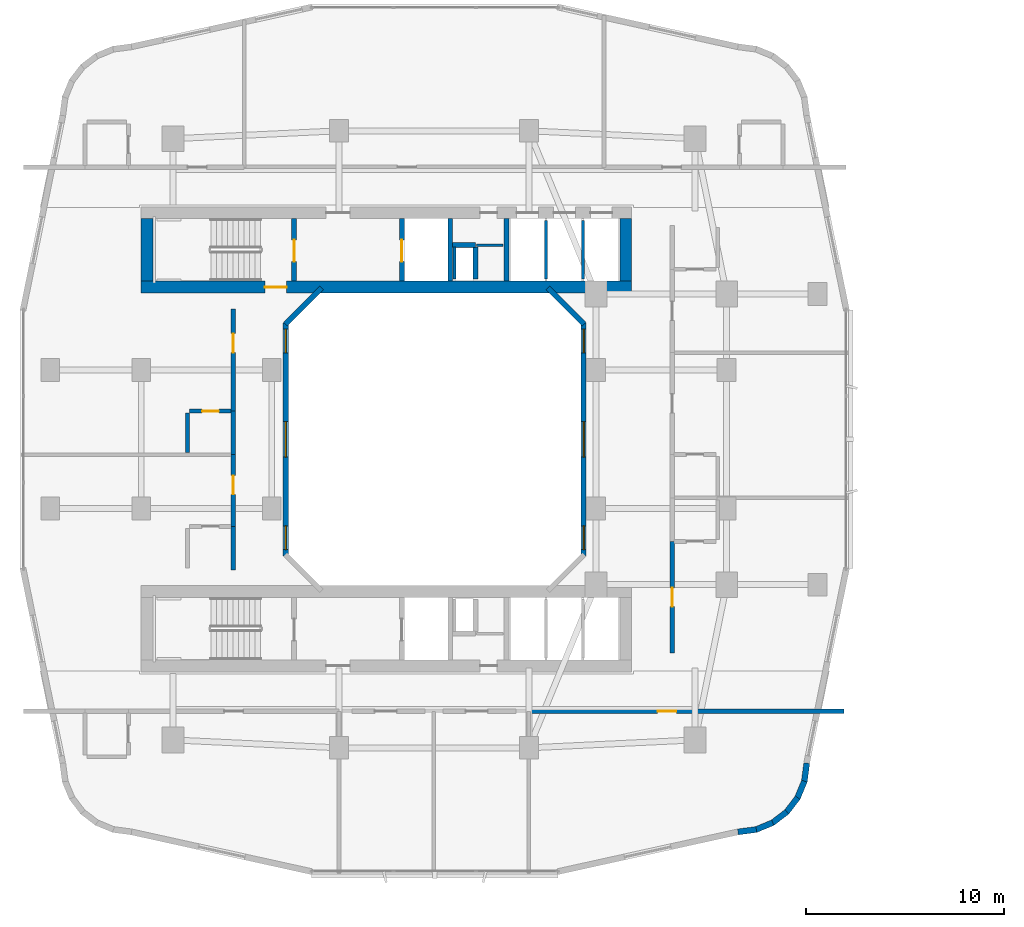
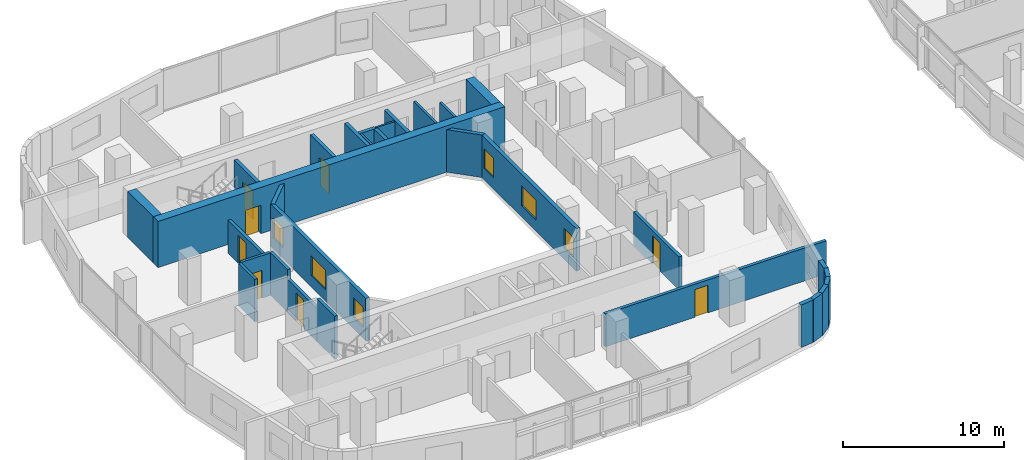
# One storey, part 14 of 26: 31 walls, 8 doors, 6 windows, 14 openings.
"""IFC4 building model written with IfcOpenShell, lengths in metres."""

import ifcopenshell
import ifcopenshell.guid

model = None  # the IFC model being written
_history = None  # IfcOwnerHistory: only IFC2X3 demands one
_inside = {}  # id of a spatial element -> (the spatial element, [elements in it])
_under = {}  # id of a project, library or spatial element -> (it, [spatial elements below it])
_declared = {}  # id of a project -> (the project, [libraries it declares])
_typed = {}  # id of a type object -> (the type object, [elements of that type])
_made_of = {}  # id of a material, layer set ... -> (it, [elements and type objects made of it])


def new_model(schema):
    """Start an empty IFC model of exactly this schema.

    Asked for "IFC4X3", IfcOpenShell would pick the latest addendum, in which some entities
    have other attributes; the version numbers below select the first issue.
    IFC2X3 requires an IfcOwnerHistory on every rooted entity: one is made here for all.
    """
    global model, _history
    if schema == "IFC4X3":
        model = ifcopenshell.file(schema_version=(4, 3, 0, 0))
    else:
        model = ifcopenshell.file(schema=schema)
    _inside.clear()
    _under.clear()
    _declared.clear()
    _typed.clear()
    _made_of.clear()
    _history = None
    if model.schema == "IFC2X3":
        org = make("IfcOrganization", Name="unknown")
        user = make(
            "IfcPersonAndOrganization",
            ThePerson=make("IfcPerson", FamilyName="unknown"),
            TheOrganization=org,
        )
        app = make(
            "IfcApplication",
            ApplicationDeveloper=org,
            Version="unknown",
            ApplicationFullName="unknown",
            ApplicationIdentifier="unknown",
        )
        _history = make(
            "IfcOwnerHistory",
            OwningUser=user,
            OwningApplication=app,
            ChangeAction="ADDED",
            CreationDate=0,
        )
    return model


def make(cls, **values):
    """One entity of the class cls with the attributes given. An attribute that is None is left unset."""
    return model.create_entity(
        cls, **{name: value for name, value in values.items() if value is not None}
    )


def rooted(cls, **values):
    """An entity with a GlobalId (a new one), such as an element, a storey or a relation."""
    return make(cls, GlobalId=ifcopenshell.guid.new(), OwnerHistory=_history, **values)


def si_unit(unit_type, name, prefix=None):
    """IfcSIUnit, for example si_unit("LENGTHUNIT", "METRE", prefix="MILLI")."""
    return make("IfcSIUnit", UnitType=unit_type, Prefix=prefix, Name=name)


def derived_unit(unit_type, elements):
    """IfcDerivedUnit: a product of units, each with its exponent."""
    return make(
        "IfcDerivedUnit",
        Elements=[
            make("IfcDerivedUnitElement", Unit=unit, Exponent=power)
            for unit, power in elements
        ],
        UnitType=unit_type,
    )


def assignment(units):
    """IfcUnitAssignment: the units of a project."""
    return None if units is None else make("IfcUnitAssignment", Units=units)


def point(xyz):
    """IfcCartesianPoint."""
    return None if xyz is None else make("IfcCartesianPoint", Coordinates=xyz)


def direction(xyz):
    """IfcDirection."""
    return None if xyz is None else make("IfcDirection", DirectionRatios=xyz)


def frame(location, z_axis=None, x_axis=None):
    """IfcAxis2Placement3D, a coordinate frame: its origin and axes. An axis left out is left unset."""
    return make(
        "IfcAxis2Placement3D",
        Location=point(location),
        Axis=direction(z_axis),
        RefDirection=direction(x_axis),
    )


def frame_2d(location, x_axis=None):
    """IfcAxis2Placement2D, a coordinate frame in the plane: its origin and x axis."""
    return make(
        "IfcAxis2Placement2D", Location=point(location), RefDirection=direction(x_axis)
    )


def origin():
    """The frame at (0, 0, 0) with its axes left unset."""
    return frame((0.0, 0.0, 0.0))


def place(relative_to, where):
    """IfcLocalPlacement: puts the frame where relative to a parent placement (None: the world)."""
    return make(
        "IfcLocalPlacement", PlacementRelTo=relative_to, RelativePlacement=where
    )


def context(
    kind, dimensions, precision=None, world=None, true_north=None, identifier=None
):
    """IfcGeometricRepresentationContext, for example the 3D "Model" context."""
    return make(
        "IfcGeometricRepresentationContext",
        ContextIdentifier=identifier,
        ContextType=kind,
        CoordinateSpaceDimension=dimensions,
        Precision=precision,
        WorldCoordinateSystem=world,
        TrueNorth=true_north,
    )


def subcontext(parent, identifier, kind, view, scale=None):
    """IfcGeometricRepresentationSubContext, for example "Body" below "Model"."""
    return make(
        "IfcGeometricRepresentationSubContext",
        ContextIdentifier=identifier,
        ContextType=kind,
        ParentContext=parent,
        TargetScale=scale,
        TargetView=view,
    )


def project(units=None, contexts=None):
    """IfcProject with its units and contexts."""
    return rooted(
        "IfcProject",
        Name="project",
        RepresentationContexts=contexts,
        UnitsInContext=assignment(units),
    )


def spatial(cls, under=None, at=None, **own):
    """A site, building, storey or space (cls), placed at a placement, below another one or the project."""
    s = rooted(cls, ObjectPlacement=at, **own)
    if under is not None:
        _under.setdefault(under.id(), (under, []))[1].append(s)
    return s


def profile(cls, at=None, kind="AREA", **sizes):
    """A parametric profile (cls). Its sizes go by their IFC names, for example OverallWidth=200.0."""
    return make(cls, ProfileType=kind, Position=at, **sizes)


def rectangle(**sizes):
    """IfcRectangleProfileDef."""
    return profile("IfcRectangleProfileDef", **sizes)


def extrude(swept, where, along, depth):
    """IfcExtrudedAreaSolid: the profile swept, set in the frame where, extruded along a direction by depth."""
    return make(
        "IfcExtrudedAreaSolid",
        SweptArea=swept,
        Position=where,
        ExtrudedDirection=direction(along),
        Depth=depth,
    )


def shape(context_of_items, identifier, shape_type, items):
    """IfcShapeRepresentation: the items that make up one representation, for example the "Body"."""
    return make(
        "IfcShapeRepresentation",
        ContextOfItems=context_of_items,
        RepresentationIdentifier=identifier,
        RepresentationType=shape_type,
        Items=items,
    )


def material(Name=None, Category=None):
    """IfcMaterial."""
    return make("IfcMaterial", Name=Name, Category=Category)


def layer(
    of_material, thickness, ventilated=None, Name=None, Category=None, Priority=None
):
    """IfcMaterialLayer: one layer of a wall or slab, of a material (None: an air gap)."""
    return make(
        "IfcMaterialLayer",
        Material=of_material,
        LayerThickness=thickness,
        IsVentilated=ventilated,
        Name=Name,
        Category=Category,
        Priority=Priority,
    )


def layer_set(layers, Name=None):
    """IfcMaterialLayerSet."""
    return make("IfcMaterialLayerSet", MaterialLayers=layers, LayerSetName=Name)


def made_of(thing, what):
    """Note that an element or type object is made of a material, layer set ...; save() writes the relation."""
    if what is not None:
        _made_of.setdefault(what.id(), (what, []))[1].append(thing)
    return thing


def type_object(cls, material=None, **own):
    """A type object (cls), such as IfcWallType, which elements share."""
    return made_of(rooted(cls, **own), material)


def element(
    cls,
    number,
    at=None,
    inside=None,
    cuts=None,
    type_object=None,
    material=None,
    context=None,
    identifier="Body",
    shape_type=None,
    held_by="IfcProductDefinitionShape",
    body=None,
    shapes=None,
    **own,
):
    """One element of the class cls, such as IfcWall. Its Tag is "e" and its number.

    at: its placement. inside: the storey or other place that contains it. cuts: it is an
    opening in that element (IfcRelVoidsElement). A single representation is given by context,
    identifier, shape_type and body (its items); several are given by shapes. held_by: the class
    of the entity that holds the representations. save() writes the other relations.
    """
    e = rooted(cls, Tag="e%d" % number, ObjectPlacement=at, **own)
    if body is not None:
        shapes = [shape(context, identifier, shape_type, body)]
    if shapes is not None:
        e.Representation = make(held_by, Representations=shapes)
    if inside is not None:
        _inside.setdefault(inside.id(), (inside, []))[1].append(e)
    if cuts is not None:
        rooted(
            "IfcRelVoidsElement", RelatingBuildingElement=cuts, RelatedOpeningElement=e
        )
    if type_object is not None:
        _typed.setdefault(type_object.id(), (type_object, []))[1].append(e)
    return made_of(e, material)


def fill(opening, filler):
    """IfcRelFillsElement: the door or window that sits in an opening."""
    return rooted(
        "IfcRelFillsElement",
        RelatingOpeningElement=opening,
        RelatedBuildingElement=filler,
    )


def aggregate(whole, parts):
    """IfcRelAggregates: a whole, such as a stair, and the parts it consists of."""
    return rooted("IfcRelAggregates", RelatingObject=whole, RelatedObjects=parts)


def save(model, path):
    """Write the relations noted so far, then the file.

    IfcRelAggregates (storeys below a building ...), IfcRelContainedInSpatialStructure (elements
    in a storey), IfcRelDefinesByType, IfcRelAssociatesMaterial and IfcRelDeclares: one each for
    every whole, place, type object, material and project.
    """
    for whole, parts in _under.values():
        aggregate(whole, parts)
    for where, things in _inside.values():
        rooted(
            "IfcRelContainedInSpatialStructure",
            RelatedElements=things,
            RelatingStructure=where,
        )
    for kind, things in _typed.values():
        rooted("IfcRelDefinesByType", RelatedObjects=things, RelatingType=kind)
    for what, things in _made_of.values():
        rooted("IfcRelAssociatesMaterial", RelatedObjects=things, RelatingMaterial=what)
    for by, libraries in _declared.values():
        rooted("IfcRelDeclares", RelatingContext=by, RelatedDefinitions=libraries)
    model.write(path)


model = new_model("IFC4")

# Units and contexts
model_context = context("Model", 3, precision=1e-05, world=origin(), true_north=direction((0.0, 1.0)))
body_context = subcontext(model_context, "Body", "Model", "MODEL_VIEW")
ifc_project = project(units=[si_unit("LENGTHUNIT", "METRE"), si_unit("AREAUNIT", "SQUARE_METRE"), si_unit("VOLUMEUNIT", "CUBIC_METRE"), si_unit("PLANEANGLEUNIT", "RADIAN"), si_unit("MASSUNIT", "GRAM", prefix="KILO"), derived_unit("THERMALTRANSMITTANCEUNIT", [(si_unit("POWERUNIT", "WATT"), 1), (si_unit("LENGTHUNIT", "METRE"), -2), (si_unit("THERMODYNAMICTEMPERATUREUNIT", "KELVIN"), -1)])], contexts=[model_context])

# Site, building, storey
site_placement = place(None, origin())
site = spatial("IfcSite", under=ifc_project, at=site_placement, CompositionType="ELEMENT")
building_placement = place(site_placement, origin())
building = spatial("IfcBuilding", under=site, at=building_placement, Name="Kivonza Crest Hotel", CompositionType="ELEMENT")
storey_placement = place(building_placement, frame((0.0, 0.0, 55.5)))
storey = spatial("IfcBuildingStorey", under=building, at=storey_placement, Name="L14", CompositionType="ELEMENT", Elevation=55.5)

# Wall, opening, door
ifc_material_1 = material(Name="Autoclaved aerated concrete blockwork", Category="masonry")
ifc_layer_1 = layer(ifc_material_1, 0.219970703125)
ifc_layer_set_1 = layer_set([ifc_layer_1], Name="Autoclaved aerated concrete blockwork")
wall_type_1 = type_object("IfcWallType", Name="WL-ACOU-220", PredefinedType="SOLIDWALL", material=ifc_layer_set_1)
wall_1_placement = place(storey_placement, frame((25.89990234375, 11.25, 0.0), z_axis=(0.0, 0.0, 1.0), x_axis=(1.0, 0.0, 0.0)))
wall_1 = element("IfcWall", 1, at=wall_1_placement, inside=storey, type_object=wall_type_1, Name="L14 interior partition WA-L14-BUS-MTG-N", PredefinedType="SOLIDWALL", context=body_context, shape_type="SweptSolid", body=[
    extrude(rectangle(XDim=15.840087890625, YDim=0.219970703125, at=frame_2d((7.919921875, 0.0))), origin(), (0.0, 0.0, 1.0), 2.4951171875),
])
opening_1_placement = place(wall_1_placement, frame((6.410888671875, 0.0, 0.0)))
opening_1 = element("IfcOpeningElement", 2, at=opening_1_placement, cuts=wall_1, Name="Opening DF-60S", PredefinedType="OPENING", context=body_context, shape_type="SweptSolid", body=[
    extrude(rectangle(XDim=0.949951171875, YDim=2.10009765625, at=frame_2d((0.47509765625, 1.050048828125))), frame((0.0, 0.1201171875, 0.0), z_axis=(0.0, -1.0, 0.0), x_axis=(1.0, 0.0, 0.0)), (0.0, 0.0, 1.0), 0.239990234375),
])
ifc_material_2 = material(Name="Hardwood timber oak", Category="wood")
door_type_1 = type_object("IfcDoorType", Name="DR-FD60-950", OperationType="NOTDEFINED", PredefinedType="DOOR", material=ifc_material_2)
door_1_placement = place(opening_1_placement, frame((0.949951171875, 0.0, 0.0), z_axis=(0.0, 0.0, 1.0), x_axis=(-1.0, 0.0, 0.0)))
door_1 = element("IfcDoor", 3, at=door_1_placement, inside=storey, type_object=door_type_1, Name="L14 Guest Business Office door", OperationType="SINGLE_SWING_RIGHT", OverallHeight=2.10009765625, OverallWidth=0.949951171875, PredefinedType="DOOR", context=body_context, shape_type="SweptSolid", body=[
    extrude(rectangle(XDim=0.949951171875, YDim=2.10009765625, at=frame_2d((0.47509765625, 1.050048828125))), frame((0.0, 0.02490234375, 0.0), z_axis=(0.0, -1.0, 0.0), x_axis=(1.0, 0.0, 0.0)), (0.0, 0.0, 1.0), 0.050048828125),
])
fill(opening_1, door_1)

# Wall
wall_2_placement = place(storey_placement, frame((10.85009765625, 18.39990234375, 0.0), z_axis=(0.0, 0.0, 1.0), x_axis=(0.0, 1.0, 0.0)))
element("IfcWall", 4, at=wall_2_placement, inside=storey, type_object=wall_type_1, Name="L14 interior partition WA-L14-W04-BCORR", PredefinedType="SOLIDWALL", context=body_context, shape_type="SweptSolid", body=[
    extrude(rectangle(XDim=2.2001953125, YDim=0.219970703125, at=frame_2d((1.10009765625, 0.0))), origin(), (0.0, 0.0, 1.0), 3.219970703125),
])

# Wall, opening, door
wall_3_placement = place(storey_placement, frame((10.85009765625, 20.60009765625, 0.0), z_axis=(0.0, 0.0, 1.0), x_axis=(0.0, 1.0, 0.0)))
wall_3 = element("IfcWall", 5, at=wall_3_placement, inside=storey, type_object=wall_type_1, Name="L14 interior partition WA-L14-W04-MCORR", PredefinedType="SOLIDWALL", context=body_context, shape_type="SweptSolid", body=[
    extrude(rectangle(XDim=3.6298828125, YDim=0.219970703125, at=frame_2d((1.81494140625, 0.0))), origin(), (0.0, 0.0, 1.0), 2.4951171875),
])
opening_2_placement = place(wall_3_placement, frame((1.6201171875, 0.0, 0.0)))
opening_2 = element("IfcOpeningElement", 6, at=opening_2_placement, cuts=wall_3, Name="Opening DU-60", PredefinedType="OPENING", context=body_context, shape_type="SweptSolid", body=[
    extrude(rectangle(XDim=0.949951171875, YDim=2.10009765625, at=frame_2d((0.47509765625, 1.050048828125))), frame((0.0, 0.1201171875, 0.0), z_axis=(0.0, -1.0, 0.0), x_axis=(1.0, 0.0, 0.0)), (0.0, 0.0, 1.0), 0.239990234375),
])
door_type_2 = type_object("IfcDoorType", Name="DR-UNIT-950", OperationType="NOTDEFINED", PredefinedType="DOOR", material=ifc_material_2)
door_2_placement = place(opening_2_placement, origin())
door_2 = element("IfcDoor", 7, at=door_2_placement, inside=storey, type_object=door_type_2, Name="L14 W04 guest unit entrance fire door", OperationType="SINGLE_SWING_RIGHT", OverallHeight=2.10009765625, OverallWidth=0.949951171875, PredefinedType="DOOR", context=body_context, shape_type="SweptSolid", body=[
    extrude(rectangle(XDim=0.949951171875, YDim=2.10009765625, at=frame_2d((0.47509765625, 1.050048828125))), frame((0.0, 0.02490234375, 0.0), z_axis=(0.0, -1.0, 0.0), x_axis=(1.0, 0.0, 0.0)), (0.0, 0.0, 1.0), 0.050048828125),
])
fill(opening_2, door_2)

# Wall
wall_4_placement = place(storey_placement, frame((10.85009765625, 24.22998046875, 0.0), z_axis=(0.0, 0.0, 1.0), x_axis=(0.0, 1.0, 0.0)))
element("IfcWall", 8, at=wall_4_placement, inside=storey, type_object=wall_type_1, Name="L14 interior partition WA-L14-W05-BCORR", PredefinedType="SOLIDWALL", context=body_context, shape_type="SweptSolid", body=[
    extrude(rectangle(XDim=2.199951171875, YDim=0.219970703125, at=frame_2d((1.10009765625, 0.0))), origin(), (0.0, 0.0, 1.0), 3.219970703125),
])

# Wall, opening, door
wall_5_placement = place(storey_placement, frame((10.85009765625, 26.429931640625, 0.0), z_axis=(0.0, 0.0, 1.0), x_axis=(0.0, 1.0, 0.0)))
wall_5 = element("IfcWall", 9, at=wall_5_placement, inside=storey, type_object=wall_type_1, Name="L14 interior partition WA-L14-W05-MCORR", PredefinedType="SOLIDWALL", context=body_context, shape_type="SweptSolid", body=[
    extrude(rectangle(XDim=5.170166015625, YDim=0.219970703125, at=frame_2d((2.5849609375, 0.0))), origin(), (0.0, 0.0, 1.0), 2.4951171875),
])
opening_3_placement = place(wall_5_placement, frame((2.9599609375, 0.0, 0.0)))
opening_3 = element("IfcOpeningElement", 10, at=opening_3_placement, cuts=wall_5, Name="Opening DU-60", PredefinedType="OPENING", context=body_context, shape_type="SweptSolid", body=[
    extrude(rectangle(XDim=0.949951171875, YDim=2.10009765625, at=frame_2d((0.47509765625, 1.050048828125))), frame((0.0, 0.1201171875, 0.0), z_axis=(0.0, -1.0, 0.0), x_axis=(1.0, 0.0, 0.0)), (0.0, 0.0, 1.0), 0.239990234375),
])
door_3_placement = place(opening_3_placement, origin())
door_3 = element("IfcDoor", 11, at=door_3_placement, inside=storey, type_object=door_type_2, Name="L14 W05 guest unit entrance fire door", OperationType="SINGLE_SWING_LEFT", OverallHeight=2.10009765625, OverallWidth=0.949951171875, PredefinedType="DOOR", context=body_context, shape_type="SweptSolid", body=[
    extrude(rectangle(XDim=0.949951171875, YDim=2.10009765625, at=frame_2d((0.47509765625, 1.050048828125))), frame((0.0, 0.02490234375, 0.0), z_axis=(0.0, -1.0, 0.0), x_axis=(1.0, 0.0, 0.0)), (0.0, 0.0, 1.0), 0.050048828125),
])
fill(opening_3, door_3)

wall_6_placement = place(storey_placement, frame((33.050048828125, 14.199951171875, 0.0), z_axis=(0.0, 0.0, 1.0), x_axis=(0.0, 1.0, 0.0)))
wall_6 = element("IfcWall", 12, at=wall_6_placement, inside=storey, type_object=wall_type_1, Name="L14 interior partition WA-L14-E06-MCORR", PredefinedType="SOLIDWALL", context=body_context, shape_type="SweptSolid", body=[
    extrude(rectangle(XDim=5.63916015625, YDim=0.219970703125, at=frame_2d((2.819580078125, 0.0))), origin(), (0.0, 0.0, 1.0), 2.4951171875),
])
opening_4_placement = place(wall_6_placement, frame((2.343994140625, 0.0, 0.0)))
opening_4 = element("IfcOpeningElement", 13, at=opening_4_placement, cuts=wall_6, Name="Opening DU-60", PredefinedType="OPENING", context=body_context, shape_type="SweptSolid", body=[
    extrude(rectangle(XDim=0.949951171875, YDim=2.10009765625, at=frame_2d((0.47509765625, 1.050048828125))), frame((0.0, 0.1201171875, 0.0), z_axis=(0.0, -1.0, 0.0), x_axis=(1.0, 0.0, 0.0)), (0.0, 0.0, 1.0), 0.239990234375),
])
door_4_placement = place(opening_4_placement, frame((0.949951171875, 0.0, 0.0), z_axis=(0.0, 0.0, 1.0), x_axis=(-1.0, 0.0, 0.0)))
door_4 = element("IfcDoor", 14, at=door_4_placement, inside=storey, type_object=door_type_2, Name="L14 E06 guest unit entrance fire door", OperationType="SINGLE_SWING_RIGHT", OverallHeight=2.10009765625, OverallWidth=0.949951171875, PredefinedType="DOOR", context=body_context, shape_type="SweptSolid", body=[
    extrude(rectangle(XDim=0.949951171875, YDim=2.10009765625, at=frame_2d((0.47509765625, 1.050048828125))), frame((0.0, 0.02490234375, 0.0), z_axis=(0.0, -1.0, 0.0), x_axis=(1.0, 0.0, 0.0)), (0.0, 0.0, 1.0), 0.050048828125),
])
fill(opening_4, door_4)

ifc_material_3 = material(Name="Concrete C60/75", Category="concrete")
ifc_layer_2 = layer(ifc_material_3, 0.60009765625)
ifc_layer_set_2 = layer_set([ifc_layer_2], Name="Concrete C60/75")
wall_type_2 = type_object("IfcWallType", Name="WL-CORE-600", PredefinedType="SHEAR", material=ifc_layer_set_2)
wall_7_placement = place(storey_placement, frame((6.199951171875, 32.699951171875, 0.0), z_axis=(0.0, 0.0, 1.0), x_axis=(1.0, 0.0, 0.0)))
wall_7 = element("IfcWall", 15, at=wall_7_placement, inside=storey, type_object=wall_type_2, Name="Core wall T1-N South L14", PredefinedType="SHEAR", context=body_context, shape_type="SweptSolid", body=[
    extrude(rectangle(XDim=24.800048828125, YDim=0.60009765625, at=frame_2d((12.39990234375, 0.0))), origin(), (0.0, 0.0, 1.0), 3.5),
])
opening_5_placement = place(wall_7_placement, frame((6.25, 0.0, 0.0)))
opening_5 = element("IfcOpeningElement", 16, at=opening_5_placement, cuts=wall_7, Name="Opening DF-120", PredefinedType="OPENING", context=body_context, shape_type="SweptSolid", body=[
    extrude(rectangle(XDim=1.10009765625, YDim=2.14990234375, at=frame_2d((0.550048828125, 1.074951171875))), frame((0.0, 0.31005859375, 0.0), z_axis=(0.0, -1.0, 0.0), x_axis=(1.0, 0.0, 0.0)), (0.0, 0.0, 1.0), 0.6201171875),
])
ifc_material_4 = material(Name="Galvanised steel", Category="steel")
door_type_3 = type_object("IfcDoorType", Name="DR-FD120-1100", OperationType="NOTDEFINED", PredefinedType="DOOR", material=ifc_material_4)
door_5_placement = place(opening_5_placement, origin())
door_5 = element("IfcDoor", 17, at=door_5_placement, inside=storey, type_object=door_type_3, Name="L14 West corridor stair access fire door", OperationType="SINGLE_SWING_LEFT", OverallHeight=2.14990234375, OverallWidth=1.10009765625, PredefinedType="DOOR", context=body_context, shape_type="SweptSolid", body=[
    extrude(rectangle(XDim=1.10009765625, YDim=2.14990234375, at=frame_2d((0.550048828125, 1.074951171875))), frame((0.0, 0.02490234375, 0.0), z_axis=(0.0, -1.0, 0.0), x_axis=(1.0, 0.0, 0.0)), (0.0, 0.0, 1.0), 0.050048828125),
])
fill(opening_5, door_5)

# Walls
for number, where, z_axis, x_axis, name in (
    (18, (6.5, 33.0, 0.0), (0.0, 0.0, 1.0), (0.0, 1.0, 0.0), "Core wall T1-N West L14"),
    (19, (30.699951171875, 33.0, 0.0), (0.0, 0.0, 1.0), (0.0, 1.0, 0.0), "Core wall T1-N East L14"),
):
    element("IfcWall", number, at=place(storey_placement, frame(where, z_axis=z_axis, x_axis=x_axis)), inside=storey, type_object=wall_type_2, Name=name, PredefinedType="SHEAR", context=body_context, shape_type="SweptSolid", body=[
        extrude(rectangle(XDim=3.159912109375, YDim=0.60009765625, at=frame_2d((1.580078125, 0.0))), origin(), (0.0, 0.0, 1.0), 3.5),
    ])

# Wall, openings, windows
ifc_material_5 = material(Name="Precast concrete C40/50", Category="concrete")
ifc_layer_3 = layer(ifc_material_5, 0.260009765625)
ifc_layer_set_3 = layer_set([ifc_layer_3], Name="Precast concrete C40/50")
wall_type_3 = type_object("IfcWallType", Name="WL-EXT-260", PredefinedType="STANDARD", material=ifc_layer_set_3)
wall_8_placement = place(storey_placement, frame((28.570068359375, 19.110107421875, 0.0), z_axis=(0.0, 0.0, 1.0), x_axis=(0.0, 1.0, 0.0)))
wall_8 = element("IfcWall", 20, at=wall_8_placement, inside=storey, type_object=wall_type_3, Name="L14 T1 light-well exterior wall 3", PredefinedType="STANDARD", context=body_context, shape_type="SweptSolid", body=[
    extrude(rectangle(XDim=11.77978515625, YDim=0.260009765625, at=frame_2d((5.889892578125, 0.0))), origin(), (0.0, 0.0, 1.0), 3.219970703125),
])
opening_6_placement = place(wall_8_placement, frame((0.318115234375, 0.0, 0.85009765625)))
opening_6 = element("IfcOpeningElement", 21, at=opening_6_placement, cuts=wall_8, Name="Opening WN-01", PredefinedType="OPENING", context=body_context, shape_type="SweptSolid", body=[
    extrude(rectangle(XDim=1.199951171875, YDim=1.5, at=frame_2d((0.60009765625, 0.75))), frame((0.0, 0.14013671875, 0.0), z_axis=(0.0, -1.0, 0.0), x_axis=(1.0, 0.0, 0.0)), (0.0, 0.0, 1.0), 0.280029296875),
])
opening_7_placement = place(wall_8_placement, frame((4.989990234375, 0.0, 0.85009765625)))
opening_7 = element("IfcOpeningElement", 22, at=opening_7_placement, cuts=wall_8, Name="Opening WN-03", PredefinedType="OPENING", context=body_context, shape_type="SweptSolid", body=[
    extrude(rectangle(XDim=1.800048828125, YDim=1.5, at=frame_2d((0.89990234375, 0.75))), frame((0.0, 0.14013671875, 0.0), z_axis=(0.0, -1.0, 0.0), x_axis=(1.0, 0.0, 0.0)), (0.0, 0.0, 1.0), 0.280029296875),
])
opening_8_placement = place(wall_8_placement, frame((10.262939453125, 0.0, 0.85009765625)))
opening_8 = element("IfcOpeningElement", 23, at=opening_8_placement, cuts=wall_8, Name="Opening WN-01", PredefinedType="OPENING", context=body_context, shape_type="SweptSolid", body=[
    extrude(rectangle(XDim=1.199951171875, YDim=1.5, at=frame_2d((0.60009765625, 0.75))), frame((0.0, 0.14013671875, 0.0), z_axis=(0.0, -1.0, 0.0), x_axis=(1.0, 0.0, 0.0)), (0.0, 0.0, 1.0), 0.280029296875),
])
ifc_material_6 = material(Name="Thermally broken bronze aluminium and low-E double glazing", Category="aluminium")
window_type_1 = type_object("IfcWindowType", Name="WN-120x150", PartitioningType="SINGLE_PANEL", PredefinedType="WINDOW", material=ifc_material_6)
window_1_placement = place(opening_6_placement, origin())
window_1 = element("IfcWindow", 24, at=window_1_placement, inside=storey, type_object=window_type_1, Name="L14 T1 light-well window 3 bay 1", OverallHeight=1.5, OverallWidth=1.199951171875, PartitioningType="SINGLE_PANEL", PredefinedType="WINDOW", context=body_context, shape_type="SweptSolid", body=[
    extrude(rectangle(XDim=1.199951171875, YDim=1.5, at=frame_2d((0.60009765625, 0.75))), frame((0.0, 0.030029296875, 0.0), z_axis=(0.0, -1.0, 0.0), x_axis=(1.0, 0.0, 0.0)), (0.0, 0.0, 1.0), 0.06005859375),
])
fill(opening_6, window_1)
window_2_placement = place(opening_8_placement, origin())
window_2 = element("IfcWindow", 25, at=window_2_placement, inside=storey, type_object=window_type_1, Name="L14 T1 light-well window 3 bay 3", OverallHeight=1.5, OverallWidth=1.199951171875, PartitioningType="SINGLE_PANEL", PredefinedType="WINDOW", context=body_context, shape_type="SweptSolid", body=[
    extrude(rectangle(XDim=1.199951171875, YDim=1.5, at=frame_2d((0.60009765625, 0.75))), frame((0.0, 0.030029296875, 0.0), z_axis=(0.0, -1.0, 0.0), x_axis=(1.0, 0.0, 0.0)), (0.0, 0.0, 1.0), 0.06005859375),
])
fill(opening_8, window_2)
window_type_2 = type_object("IfcWindowType", Name="WN-180x150", PartitioningType="DOUBLE_PANEL_VERTICAL", PredefinedType="WINDOW", material=ifc_material_6)
window_3_placement = place(opening_7_placement, origin())
window_3 = element("IfcWindow", 26, at=window_3_placement, inside=storey, type_object=window_type_2, Name="L14 T1 light-well window 3 bay 2", OverallHeight=1.5, OverallWidth=1.800048828125, PartitioningType="SINGLE_PANEL", PredefinedType="WINDOW", context=body_context, shape_type="SweptSolid", body=[
    extrude(rectangle(XDim=1.800048828125, YDim=1.5, at=frame_2d((0.89990234375, 0.75))), frame((0.0, 0.030029296875, 0.0), z_axis=(0.0, -1.0, 0.0), x_axis=(1.0, 0.0, 0.0)), (0.0, 0.0, 1.0), 0.06005859375),
])
fill(opening_7, window_3)

# Walls
wall_9_placement = place(storey_placement, frame((28.595947265625, 30.827880859375, 0.0), z_axis=(0.0, 0.0, 1.0), x_axis=(-0.707059717605, 0.707153841636, 0.0)))
element("IfcWall", 27, at=wall_9_placement, inside=storey, type_object=wall_type_3, Name="L14 T1 light-well exterior wall 4", PredefinedType="STANDARD", context=body_context, shape_type="SweptSolid", body=[
    extrude(rectangle(XDim=2.59375, YDim=0.260009765625, at=frame_2d((1.296875, 0.0))), origin(), (0.0, 0.0, 1.0), 3.219970703125),
])
wall_10_placement = place(storey_placement, frame((15.318115234375, 32.662109375, 0.0), z_axis=(0.0, 0.0, 1.0), x_axis=(-0.707106781187, -0.707106781187, 0.0)))
element("IfcWall", 28, at=wall_10_placement, inside=storey, type_object=wall_type_3, Name="L14 T1 light-well exterior wall 6", PredefinedType="STANDARD", context=body_context, shape_type="SweptSolid", body=[
    extrude(rectangle(XDim=2.593994140625, YDim=0.260009765625, at=frame_2d((1.296875, 0.0))), origin(), (0.0, 0.0, 1.0), 3.219970703125),
])

# Wall, openings, windows
wall_11_placement = place(storey_placement, frame((13.510009765625, 30.889892578125, 0.0), z_axis=(0.0, 0.0, 1.0), x_axis=(0.0, -1.0, 0.0)))
wall_11 = element("IfcWall", 29, at=wall_11_placement, inside=storey, type_object=wall_type_3, Name="L14 T1 light-well exterior wall 7", PredefinedType="STANDARD", context=body_context, shape_type="SweptSolid", body=[
    extrude(rectangle(XDim=11.77978515625, YDim=0.260009765625, at=frame_2d((5.889892578125, 0.0))), origin(), (0.0, 0.0, 1.0), 3.219970703125),
])
opening_9_placement = place(wall_11_placement, frame((0.318115234375, 0.0, 0.85009765625)))
opening_9 = element("IfcOpeningElement", 30, at=opening_9_placement, cuts=wall_11, Name="Opening WN-01", PredefinedType="OPENING", context=body_context, shape_type="SweptSolid", body=[
    extrude(rectangle(XDim=1.199951171875, YDim=1.5, at=frame_2d((0.60009765625, 0.75))), frame((0.0, 0.14013671875, 0.0), z_axis=(0.0, -1.0, 0.0), x_axis=(1.0, 0.0, 0.0)), (0.0, 0.0, 1.0), 0.280029296875),
])
opening_10_placement = place(wall_11_placement, frame((4.989990234375, 0.0, 0.85009765625)))
opening_10 = element("IfcOpeningElement", 31, at=opening_10_placement, cuts=wall_11, Name="Opening WN-03", PredefinedType="OPENING", context=body_context, shape_type="SweptSolid", body=[
    extrude(rectangle(XDim=1.800048828125, YDim=1.5, at=frame_2d((0.89990234375, 0.75))), frame((0.0, 0.14013671875, 0.0), z_axis=(0.0, -1.0, 0.0), x_axis=(1.0, 0.0, 0.0)), (0.0, 0.0, 1.0), 0.280029296875),
])
opening_11_placement = place(wall_11_placement, frame((10.262939453125, 0.0, 0.85009765625)))
opening_11 = element("IfcOpeningElement", 32, at=opening_11_placement, cuts=wall_11, Name="Opening WN-01", PredefinedType="OPENING", context=body_context, shape_type="SweptSolid", body=[
    extrude(rectangle(XDim=1.199951171875, YDim=1.5, at=frame_2d((0.60009765625, 0.75))), frame((0.0, 0.14013671875, 0.0), z_axis=(0.0, -1.0, 0.0), x_axis=(1.0, 0.0, 0.0)), (0.0, 0.0, 1.0), 0.280029296875),
])
window_4_placement = place(opening_9_placement, origin())
window_4 = element("IfcWindow", 33, at=window_4_placement, inside=storey, type_object=window_type_1, Name="L14 T1 light-well window 7 bay 1", OverallHeight=1.5, OverallWidth=1.199951171875, PartitioningType="SINGLE_PANEL", PredefinedType="WINDOW", context=body_context, shape_type="SweptSolid", body=[
    extrude(rectangle(XDim=1.199951171875, YDim=1.5, at=frame_2d((0.60009765625, 0.75))), frame((0.0, 0.030029296875, 0.0), z_axis=(0.0, -1.0, 0.0), x_axis=(1.0, 0.0, 0.0)), (0.0, 0.0, 1.0), 0.06005859375),
])
fill(opening_9, window_4)
window_5_placement = place(opening_11_placement, origin())
window_5 = element("IfcWindow", 34, at=window_5_placement, inside=storey, type_object=window_type_1, Name="L14 T1 light-well window 7 bay 3", OverallHeight=1.5, OverallWidth=1.199951171875, PartitioningType="SINGLE_PANEL", PredefinedType="WINDOW", context=body_context, shape_type="SweptSolid", body=[
    extrude(rectangle(XDim=1.199951171875, YDim=1.5, at=frame_2d((0.60009765625, 0.75))), frame((0.0, 0.030029296875, 0.0), z_axis=(0.0, -1.0, 0.0), x_axis=(1.0, 0.0, 0.0)), (0.0, 0.0, 1.0), 0.06005859375),
])
fill(opening_11, window_5)
window_6_placement = place(opening_10_placement, origin())
window_6 = element("IfcWindow", 35, at=window_6_placement, inside=storey, type_object=window_type_2, Name="L14 T1 light-well window 7 bay 2", OverallHeight=1.5, OverallWidth=1.800048828125, PartitioningType="SINGLE_PANEL", PredefinedType="WINDOW", context=body_context, shape_type="SweptSolid", body=[
    extrude(rectangle(XDim=1.800048828125, YDim=1.5, at=frame_2d((0.89990234375, 0.75))), frame((0.0, 0.030029296875, 0.0), z_axis=(0.0, -1.0, 0.0), x_axis=(1.0, 0.0, 0.0)), (0.0, 0.0, 1.0), 0.06005859375),
])
fill(opening_10, window_6)

# Walls
ifc_layer_4 = layer(ifc_material_5, 0.300048828125)
ifc_layer_set_4 = layer_set([ifc_layer_4], Name="Precast concrete C40/50")
wall_type_4 = type_object("IfcWallType", Name="WL-EXT-300", PredefinedType="STANDARD", material=ifc_layer_set_4)
wall_12_placement = place(storey_placement, frame((36.3720703125, 5.14794921875, 0.0), z_axis=(0.0, 0.0, 1.0), x_axis=(0.991359246108, 0.131174864804, 0.0)))
element("IfcWall", 36, at=wall_12_placement, inside=storey, type_object=wall_type_4, Name="L14 T1 exterior insulated wall 10", PredefinedType="STANDARD", context=body_context, shape_type="SweptSolid", body=[
    extrude(rectangle(XDim=0.93798828125, YDim=0.300048828125, at=frame_2d((0.468994140625, 0.0))), origin(), (0.0, 0.0, 1.0), 3.219970703125),
])
wall_13_placement = place(storey_placement, frame((37.251953125, 5.251953125, 0.0), z_axis=(0.0, 0.0, 1.0), x_axis=(0.924019948111, 0.382344263057, 0.0)))
element("IfcWall", 37, at=wall_13_placement, inside=storey, type_object=wall_type_4, Name="L14 T1 exterior insulated wall 11", PredefinedType="STANDARD", context=body_context, shape_type="SweptSolid", body=[
    extrude(rectangle(XDim=0.95458984375, YDim=0.300048828125, at=frame_2d((0.477294921875, 0.0))), origin(), (0.0, 0.0, 1.0), 3.219970703125),
])
wall_14_placement = place(storey_placement, frame((38.089111328125, 5.5859375, 0.0), z_axis=(0.0, 0.0, 1.0), x_axis=(0.793573440799, 0.608474481025, 0.0)))
element("IfcWall", 38, at=wall_14_placement, inside=storey, type_object=wall_type_4, Name="L14 T1 exterior insulated wall 12", PredefinedType="STANDARD", context=body_context, shape_type="SweptSolid", body=[
    extrude(rectangle(XDim=0.954833984375, YDim=0.300048828125, at=frame_2d((0.4775390625, 0.0))), origin(), (0.0, 0.0, 1.0), 3.219970703125),
])
wall_15_placement = place(storey_placement, frame((38.81201171875, 6.125, 0.0), z_axis=(0.0, 0.0, 1.0), x_axis=(0.608351047625, 0.793668068435, 0.0)))
element("IfcWall", 39, at=wall_15_placement, inside=storey, type_object=wall_type_4, Name="L14 T1 exterior insulated wall 13", PredefinedType="STANDARD", context=body_context, shape_type="SweptSolid", body=[
    extrude(rectangle(XDim=0.955078125, YDim=0.300048828125, at=frame_2d((0.4775390625, 0.0))), origin(), (0.0, 0.0, 1.0), 3.219970703125),
])
wall_16_placement = place(storey_placement, frame((39.368896484375, 6.833984375, 0.0), z_axis=(0.0, 0.0, 1.0), x_axis=(0.382344263057, 0.924019948111, 0.0)))
element("IfcWall", 40, at=wall_16_placement, inside=storey, type_object=wall_type_4, Name="L14 T1 exterior insulated wall 14", PredefinedType="STANDARD", context=body_context, shape_type="SweptSolid", body=[
    extrude(rectangle(XDim=0.95458984375, YDim=0.300048828125, at=frame_2d((0.477294921875, 0.0))), origin(), (0.0, 0.0, 1.0), 3.219970703125),
])
wall_17_placement = place(storey_placement, frame((39.72509765625, 7.6630859375, 0.0), z_axis=(0.0, 0.0, 1.0), x_axis=(0.130454512571, 0.991454295543, 0.0)))
element("IfcWall", 41, at=wall_17_placement, inside=storey, type_object=wall_type_4, Name="L14 T1 exterior insulated wall 15", PredefinedType="STANDARD", context=body_context, shape_type="SweptSolid", body=[
    extrude(rectangle(XDim=0.97314453125, YDim=0.300048828125, at=frame_2d((0.486572265625, 0.0))), origin(), (0.0, 0.0, 1.0), 3.219970703125),
])
ifc_material_7 = material(Name="Concrete blockwork fire-compartment wall", Category="masonry")
ifc_layer_5 = layer(ifc_material_7, 0.25)
ifc_layer_set_5 = layer_set([ifc_layer_5], Name="Concrete blockwork fire-compartment wall")
wall_type_5 = type_object("IfcWallType", Name="WL-FIRE-250", PredefinedType="SOLIDWALL", material=ifc_layer_set_5)
wall_18_placement = place(storey_placement, frame((23.10009765625, 33.10009765625, 0.0), z_axis=(0.0, 0.0, 1.0), x_axis=(0.0, 1.0, 0.0)))
element("IfcWall", 42, at=wall_18_placement, inside=storey, type_object=wall_type_5, Name="L14 interior partition WA-L14-T1-N-MEPR-E", PredefinedType="SOLIDWALL", context=body_context, shape_type="SweptSolid", body=[
    extrude(rectangle(XDim=1.619873046875, YDim=0.25, at=frame_2d((0.81005859375, 0.0))), origin(), (0.0, 0.0, 1.0), 3.219970703125),
])
wall_19_placement = place(storey_placement, frame((21.949951171875, 34.820068359375, 0.0), z_axis=(0.0, 0.0, 1.0), x_axis=(1.0, 0.0, 0.0)))
element("IfcWall", 43, at=wall_19_placement, inside=storey, type_object=wall_type_5, Name="L14 interior partition WA-L14-T1-N-MEPR-H", PredefinedType="SOLIDWALL", context=body_context, shape_type="SweptSolid", body=[
    extrude(rectangle(XDim=1.150146484375, YDim=0.25, at=frame_2d((0.5751953125, 0.0))), origin(), (0.0, 0.0, 1.0), 3.219970703125),
])
ifc_material_8 = material(Name="Metal-stud gypsum board partition", Category="gypsum")
ifc_layer_6 = layer(ifc_material_8, 0.125)
ifc_layer_set_6 = layer_set([ifc_layer_6], Name="Metal-stud gypsum board partition")
wall_type_6 = type_object("IfcWallType", Name="WL-PART-125", PredefinedType="PARTITIONING", material=ifc_layer_set_6)
wall_20_placement = place(storey_placement, frame((23.14990234375, 34.820068359375, 0.0), z_axis=(0.0, 0.0, 1.0), x_axis=(1.0, 0.0, 0.0)))
element("IfcWall", 44, at=wall_20_placement, inside=storey, type_object=wall_type_6, Name="L14 interior partition WP-L14-T1-N-SV2H", PredefinedType="PARTITIONING", context=body_context, shape_type="SweptSolid", body=[
    extrude(rectangle(XDim=1.35009765625, YDim=0.125, at=frame_2d((0.675048828125, 0.0))), origin(), (0.0, 0.0, 1.0), 3.219970703125),
])
ifc_material_9 = material(Name="Twin-stud acoustic gypsum board partition", Category="gypsum")
ifc_layer_7 = layer(ifc_material_9, 0.14990234375)
ifc_layer_set_7 = layer_set([ifc_layer_7], Name="Twin-stud acoustic gypsum board partition")
wall_type_7 = type_object("IfcWallType", Name="WL-PART-150", PredefinedType="PARTITIONING", material=ifc_layer_set_7)
wall_21_placement = place(storey_placement, frame((22.030029296875, 33.10009765625, 0.0), z_axis=(0.0, 0.0, 1.0), x_axis=(0.0, 1.0, 0.0)))
element("IfcWall", 45, at=wall_21_placement, inside=storey, type_object=wall_type_7, Name="L14 interior partition WA-L14-T1-N-MEPR-W", PredefinedType="PARTITIONING", context=body_context, shape_type="SweptSolid", body=[
    extrude(rectangle(XDim=1.619873046875, YDim=0.14990234375, at=frame_2d((0.81005859375, 0.0))), origin(), (0.0, 0.0, 1.0), 3.219970703125),
])
wall_22_placement = place(storey_placement, frame((26.6669921875, 33.10009765625, 0.0), z_axis=(0.0, 0.0, 1.0), x_axis=(0.0, 1.0, 0.0)))
element("IfcWall", 46, at=wall_22_placement, inside=storey, type_object=wall_type_7, Name="L14 interior partition WP-L14-T1-N-BSH-1", PredefinedType="PARTITIONING", context=body_context, shape_type="SweptSolid", body=[
    extrude(rectangle(XDim=2.9599609375, YDim=0.14990234375, at=frame_2d((1.47998046875, 0.0))), origin(), (0.0, 0.0, 1.0), 3.219970703125),
])
wall_23_placement = place(storey_placement, frame((28.532958984375, 33.10009765625, 0.0), z_axis=(0.0, 0.0, 1.0), x_axis=(0.0, 1.0, 0.0)))
element("IfcWall", 47, at=wall_23_placement, inside=storey, type_object=wall_type_7, Name="L14 interior partition WP-L14-T1-N-BSH-2", PredefinedType="PARTITIONING", context=body_context, shape_type="SweptSolid", body=[
    extrude(rectangle(XDim=2.9599609375, YDim=0.14990234375, at=frame_2d((1.47998046875, 0.0))), origin(), (0.0, 0.0, 1.0), 2.4951171875),
])

# Wall, opening, door
ifc_material_10 = material(Name="Moisture-resistant plumbing chase partition wall", Category="gypsum")
ifc_layer_8 = layer(ifc_material_10, 0.199951171875)
ifc_layer_set_8 = layer_set([ifc_layer_8], Name="Moisture-resistant plumbing chase partition wall")
wall_type_8 = type_object("IfcWallType", Name="WL-PLUMB-200", PredefinedType="PLUMBINGWALL", material=ifc_layer_set_8)
wall_24_placement = place(storey_placement, frame((8.64990234375, 26.429931640625, 0.0), z_axis=(0.0, 0.0, 1.0), x_axis=(1.0, 0.0, 0.0)))
wall_24 = element("IfcWall", 48, at=wall_24_placement, inside=storey, type_object=wall_type_8, Name="L14 interior partition WW-L14-W05-BH", PredefinedType="PLUMBINGWALL", context=body_context, shape_type="SweptSolid", body=[
    extrude(rectangle(XDim=2.10009765625, YDim=0.199951171875, at=frame_2d((1.050048828125, 0.0))), origin(), (0.0, 0.0, 1.0), 3.219970703125),
])
opening_12_placement = place(wall_24_placement, frame((0.625, 0.0, 0.0)))
opening_12 = element("IfcOpeningElement", 49, at=opening_12_placement, cuts=wall_24, Name="Opening DI-85", PredefinedType="OPENING", context=body_context, shape_type="SweptSolid", body=[
    extrude(rectangle(XDim=0.85009765625, YDim=2.10009765625, at=frame_2d((0.425048828125, 1.050048828125))), frame((0.0, 0.10986328125, 0.0), z_axis=(0.0, -1.0, 0.0), x_axis=(1.0, 0.0, 0.0)), (0.0, 0.0, 1.0), 0.219970703125),
])
door_type_4 = type_object("IfcDoorType", Name="DR-INT-850", OperationType="NOTDEFINED", PredefinedType="DOOR", material=ifc_material_2)
door_6_placement = place(opening_12_placement, origin())
door_6 = element("IfcDoor", 50, at=door_6_placement, inside=storey, type_object=door_type_4, Name="L14 W05 en-suite bathroom door", OperationType="SINGLE_SWING_RIGHT", OverallHeight=2.10009765625, OverallWidth=0.85009765625, PredefinedType="DOOR", context=body_context, shape_type="SweptSolid", body=[
    extrude(rectangle(XDim=0.85009765625, YDim=2.10009765625, at=frame_2d((0.425048828125, 1.050048828125))), frame((0.0, 0.02490234375, 0.0), z_axis=(0.0, -1.0, 0.0), x_axis=(1.0, 0.0, 0.0)), (0.0, 0.0, 1.0), 0.050048828125),
])
fill(opening_12, door_6)

# Wall
wall_25_placement = place(storey_placement, frame((8.550048828125, 24.330078125, 0.0), z_axis=(0.0, 0.0, 1.0), x_axis=(0.0, 1.0, 0.0)))
element("IfcWall", 51, at=wall_25_placement, inside=storey, type_object=wall_type_8, Name="L14 interior partition WW-L14-W05-BV", PredefinedType="PLUMBINGWALL", context=body_context, shape_type="SweptSolid", body=[
    extrude(rectangle(XDim=2.0, YDim=0.199951171875, at=frame_2d((1.0, 0.0))), origin(), (0.0, 0.0, 1.0), 3.219970703125),
])

# Wall, opening, door
ifc_material_11 = material(Name="Concrete C50/60", Category="concrete")
ifc_layer_9 = layer(ifc_material_11, 0.25)
ifc_layer_set_9 = layer_set([ifc_layer_9], Name="Concrete C50/60")
wall_type_9 = type_object("IfcWallType", Name="WL-SHAFT-250", PredefinedType="STANDARD", material=ifc_layer_set_9)
wall_26_placement = place(storey_placement, frame((13.925048828125, 33.0, 0.0), z_axis=(0.0, 0.0, 1.0), x_axis=(0.0, 1.0, 0.0)))
wall_26 = element("IfcWall", 52, at=wall_26_placement, inside=storey, type_object=wall_type_9, Name="Core shaft wall T1-N STAIR L14", PredefinedType="STANDARD", context=body_context, shape_type="SweptSolid", body=[
    extrude(rectangle(XDim=3.159912109375, YDim=0.25, at=frame_2d((1.580078125, 0.0))), origin(), (0.0, 0.0, 1.0), 3.219970703125),
])
opening_13_placement = place(wall_26_placement, frame((0.97998046875, 0.0, 0.0)))
opening_13 = element("IfcOpeningElement", 53, at=opening_13_placement, cuts=wall_26, Name="Opening DF-120", PredefinedType="OPENING", context=body_context, shape_type="SweptSolid", body=[
    extrude(rectangle(XDim=1.10009765625, YDim=2.14990234375, at=frame_2d((0.550048828125, 1.074951171875))), frame((0.0, 0.135009765625, 0.0), z_axis=(0.0, -1.0, 0.0), x_axis=(1.0, 0.0, 0.0)), (0.0, 0.0, 1.0), 0.27001953125),
])
door_7_placement = place(opening_13_placement, frame((1.10009765625, 0.0, 0.0), z_axis=(0.0, 0.0, 1.0), x_axis=(-1.0, 0.0, 0.0)))
door_7 = element("IfcDoor", 54, at=door_7_placement, inside=storey, type_object=door_type_3, Name="L14 T1-N stair fire door", OperationType="SINGLE_SWING_LEFT", OverallHeight=2.14990234375, OverallWidth=1.10009765625, PredefinedType="DOOR", context=body_context, shape_type="SweptSolid", body=[
    extrude(rectangle(XDim=1.10009765625, YDim=2.14990234375, at=frame_2d((0.550048828125, 1.074951171875))), frame((0.0, 0.02490234375, 0.0), z_axis=(0.0, -1.0, 0.0), x_axis=(1.0, 0.0, 0.0)), (0.0, 0.0, 1.0), 0.050048828125),
])
fill(opening_13, door_7)

wall_27_placement = place(storey_placement, frame((19.375, 33.0, 0.0), z_axis=(0.0, 0.0, 1.0), x_axis=(0.0, 1.0, 0.0)))
wall_27 = element("IfcWall", 55, at=wall_27_placement, inside=storey, type_object=wall_type_9, Name="Core shaft wall T1-N FFL-W L14", PredefinedType="STANDARD", context=body_context, shape_type="SweptSolid", body=[
    extrude(rectangle(XDim=3.159912109375, YDim=0.25, at=frame_2d((1.580078125, 0.0))), origin(), (0.0, 0.0, 1.0), 3.219970703125),
])
opening_14_placement = place(wall_27_placement, frame((0.97998046875, 0.0, 0.0)))
opening_14 = element("IfcOpeningElement", 56, at=opening_14_placement, cuts=wall_27, Name="Opening LD-120", PredefinedType="OPENING", context=body_context, shape_type="SweptSolid", body=[
    extrude(rectangle(XDim=1.10009765625, YDim=2.14990234375, at=frame_2d((0.550048828125, 1.074951171875))), frame((0.0, 0.135009765625, 0.0), z_axis=(0.0, -1.0, 0.0), x_axis=(1.0, 0.0, 0.0)), (0.0, 0.0, 1.0), 0.27001953125),
])
ifc_material_12 = material(Name="Stainless steel", Category="steel")
door_type_5 = type_object("IfcDoorType", Name="DR-LD120-1100", OperationType="NOTDEFINED", PredefinedType="DOOR", material=ifc_material_12)
door_8_placement = place(opening_14_placement, origin())
door_8 = element("IfcDoor", 57, at=door_8_placement, inside=storey, type_object=door_type_5, Name="L14 FFL-T1-N firefighting lift sliding landing door", OperationType="DOUBLE_DOOR_SLIDING", OverallHeight=2.14990234375, OverallWidth=1.10009765625, PredefinedType="DOOR", context=body_context, shape_type="SweptSolid", body=[
    extrude(rectangle(XDim=1.10009765625, YDim=2.14990234375, at=frame_2d((0.550048828125, 1.074951171875))), frame((0.0, 0.02490234375, 0.0), z_axis=(0.0, -1.0, 0.0), x_axis=(1.0, 0.0, 0.0)), (0.0, 0.0, 1.0), 0.050048828125),
])
fill(opening_14, door_8)

# Walls
for number, where, z_axis, x_axis, name in (
    (58, (21.824951171875, 33.0, 0.0), (0.0, 0.0, 1.0), (0.0, 1.0, 0.0), "Core shaft wall T1-N FFL-E L14"),
    (59, (24.675048828125, 33.0, 0.0), (0.0, 0.0, 1.0), (0.0, 1.0, 0.0), "Core shaft wall T1-N BANK-W L14"),
):
    element("IfcWall", number, at=place(storey_placement, frame(where, z_axis=z_axis, x_axis=x_axis)), inside=storey, type_object=wall_type_9, Name=name, PredefinedType="STANDARD", context=body_context, shape_type="SweptSolid", body=[
        extrude(rectangle(XDim=3.159912109375, YDim=0.25, at=frame_2d((1.580078125, 0.0))), origin(), (0.0, 0.0, 1.0), 3.219970703125),
    ])

save(model, "model.ifc")
